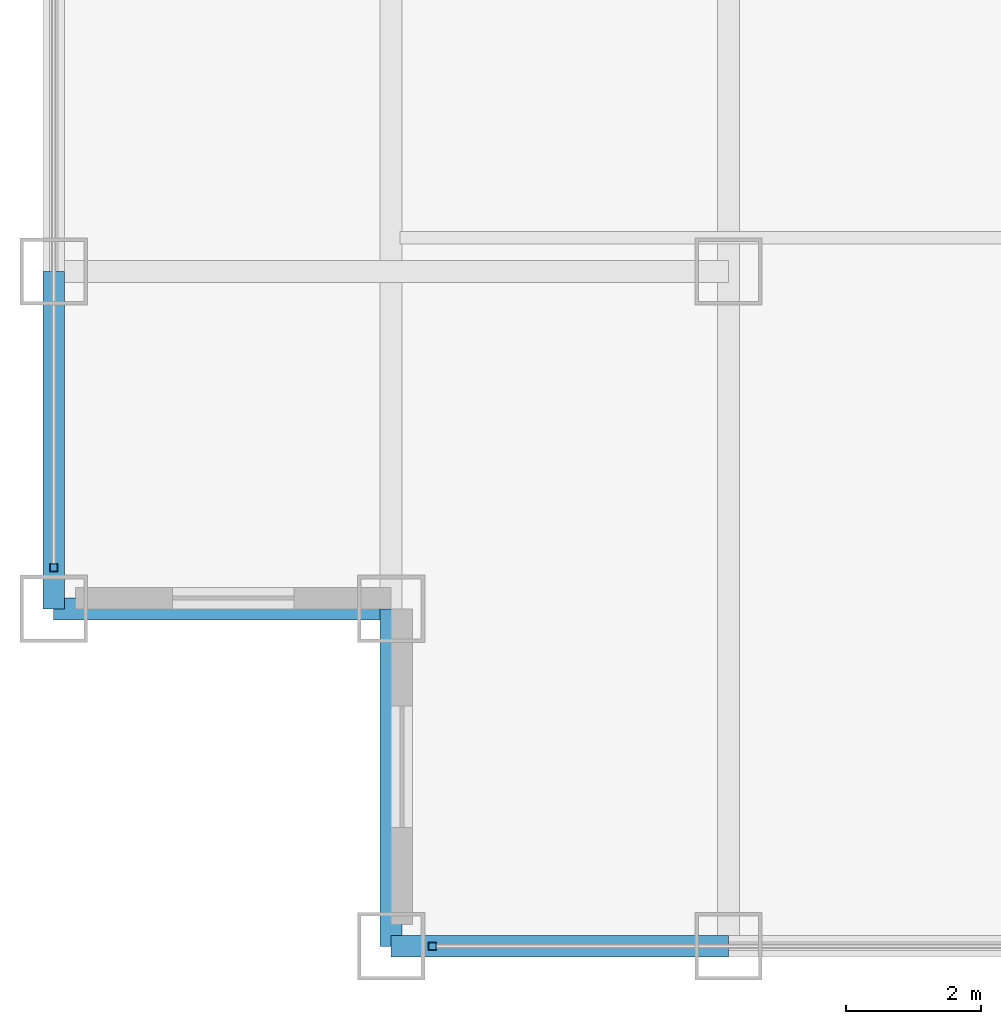
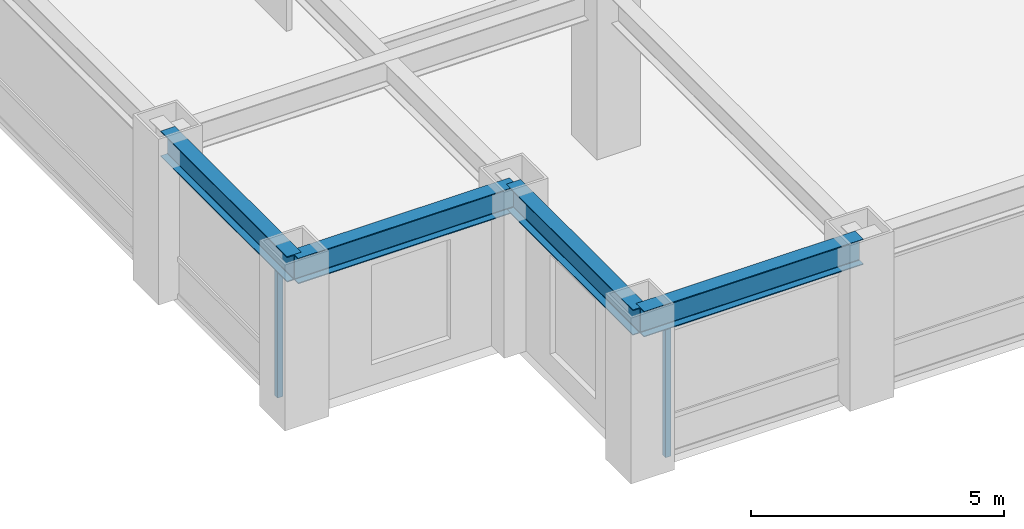
# One storey, part 2 of 25: 4 beams, 2 members, 2 elements without a shape of their own.
"""IFC4 building model written with IfcOpenShell, lengths in metres."""

from ifc_helpers import new_model, si_unit, direction, frame, origin, origin_2d, place, context, subcontext, project, spatial, hollow_rectangle, i_section, extrude, source, transform, mapped, material, material_profile, profile_set, type_object, element, aggregate, save


model = new_model("IFC4")

# Units and contexts
model_context = context("Model", 3, precision=1e-05, world=origin(), true_north=direction((0.0, 1.0)))
body_context = subcontext(model_context, "Body", "Model", "MODEL_VIEW")
ifc_project = project(units=[si_unit("LENGTHUNIT", "METRE"), si_unit("AREAUNIT", "SQUARE_METRE"), si_unit("VOLUMEUNIT", "CUBIC_METRE"), si_unit("PLANEANGLEUNIT", "RADIAN"), si_unit("MASSUNIT", "GRAM", prefix="KILO")], contexts=[model_context])

# Site, building, storey
site_placement = place(None, origin())
site = spatial("IfcSite", under=ifc_project, at=site_placement, CompositionType="ELEMENT")
building_placement = place(site_placement, origin())
building = spatial("IfcBuilding", under=site, at=building_placement, Name="Khorayat Bourse Tower", CompositionType="ELEMENT")
storey_placement = place(building_placement, frame((0.0, 0.0, 223.10009765625)))
storey = spatial("IfcBuildingStorey", under=building, at=storey_placement, Name="L52", CompositionType="ELEMENT", Elevation=223.10009765625)

# Beams
ifc_material_1 = material(Name="Steel ASTM A992 Grade 50", Category="steel")
ifc_material_profile_1 = material_profile(ifc_material_1, i_section(OverallWidth=0.324951171875, OverallDepth=0.615966796875, WebThickness=0.013916015625, FlangeThickness=0.021484375, FilletRadius=0.01611328125, at=origin_2d()), Name="W610X174")
ifc_profile_set_1 = profile_set([ifc_material_profile_1], Name="Steel ASTM A992 Grade 50")
beam_type = type_object("IfcBeamType", Name="BM-SPAN-610", PredefinedType="SPANDREL", material=ifc_profile_set_1)
shared_shape_1 = source(origin(), body_context, "Body", "SweptSolid", [
    extrude(i_section(OverallWidth=0.324951171875, OverallDepth=0.615966796875, WebThickness=0.013916015625, FlangeThickness=0.021484375, FilletRadius=0.01611328125, at=origin_2d()), origin(), (0.0, 0.0, 1.0), 5.0),
])
for number, where, z_axis, x_axis, name in (
    (1, (-25.0, -30.0, 3.471923828125), (1.0, 0.0, 0.0), (0.0, 1.0, 0.0), "L52 BM-SPAN-610 BM-L52-SPN-024"),
    (2, (-30.0, -25.0, 3.471923828125), (0.0, 1.0, 0.0), (-1.0, 0.0, 0.0), "L52 BM-SPAN-610 BM-L52-SPN-061"),
    (3, (-30.0, -25.0, 3.471923828125), (1.0, 0.0, 0.0), (0.0, 1.0, 0.0), "L52 BM-SPAN-610 BM-L52-SPN-062"),
    (4, (-25.0, -30.0, 3.471923828125), (0.0, 1.0, 0.0), (-1.0, 0.0, 0.0), "L52 BM-SPAN-610 BM-L52-SPN-063"),
):
    element("IfcBeam", number, at=place(storey_placement, frame(where, z_axis=z_axis, x_axis=x_axis)), inside=storey, type_object=beam_type, Name=name, PredefinedType="SPANDREL", context=body_context, shape_type="MappedRepresentation", body=[
        mapped(shared_shape_1, transform((0.0, 0.0, 0.0), scale=1.0)),
    ])

# Curtain wall, member
ifc_material_2 = material(Name="Aluminium EN AW-6063 T6", Category="aluminium")
curtain_wall_type = type_object("IfcCurtainWallType", Name="CW-SYS-03", PredefinedType="NOTDEFINED", material=ifc_material_2)
curtain_wall_1_placement = place(storey_placement, origin())
curtain_wall_1 = element("IfcCurtainWall", 5, at=curtain_wall_1_placement, inside=storey, type_object=curtain_wall_type, Name="L52 Curtain Wall CW-L52-S1", PredefinedType="NOTDEFINED")
ifc_material_profile_2 = material_profile(ifc_material_2, hollow_rectangle(XDim=0.1201171875, YDim=0.1201171875, WallThickness=0.0048828125, at=origin_2d()), Name="ALU 120x120x5")
ifc_profile_set_2 = profile_set([ifc_material_profile_2], Name="Aluminium EN AW-6063 T6")
member_type = type_object("IfcMemberType", Name="CWM-VERT-120", PredefinedType="MULLION", material=ifc_profile_set_2)
shared_shape_2 = source(origin(), body_context, "Body", "SweptSolid", [
    extrude(hollow_rectangle(XDim=0.1201171875, YDim=0.1201171875, WallThickness=0.0048828125, at=origin_2d()), origin(), (0.0, 0.0, 1.0), 3.1298828125),
])
member_1_placement = place(storey_placement, frame((-24.389892578125, -30.0, 0.0), z_axis=(0.0, 0.0, 1.0), x_axis=(0.0, 1.0, 0.0)))
member_1 = element("IfcMember", 6, at=member_1_placement, type_object=member_type, Name="CW-L52-S1 Vertical Mullion 1", PredefinedType="MULLION", context=body_context, shape_type="MappedRepresentation", body=[
    mapped(shared_shape_2, transform((0.0, 0.0, 0.0), scale=1.0)),
])
aggregate(curtain_wall_1, [member_1])

curtain_wall_2_placement = place(storey_placement, origin())
curtain_wall_2 = element("IfcCurtainWall", 7, at=curtain_wall_2_placement, inside=storey, type_object=curtain_wall_type, Name="L52 Curtain Wall CW-L52-W1", PredefinedType="NOTDEFINED")
member_2_placement = place(storey_placement, frame((-30.0, -24.389892578125, 0.0), z_axis=(0.0, 0.0, 1.0), x_axis=(-1.0, 0.0, 0.0)))
member_2 = element("IfcMember", 8, at=member_2_placement, type_object=member_type, Name="CW-L52-W1 Vertical Mullion 1", PredefinedType="MULLION", context=body_context, shape_type="MappedRepresentation", body=[
    mapped(shared_shape_2, transform((0.0, 0.0, 0.0), scale=1.0)),
])
aggregate(curtain_wall_2, [member_2])

save(model, "model.ifc")
